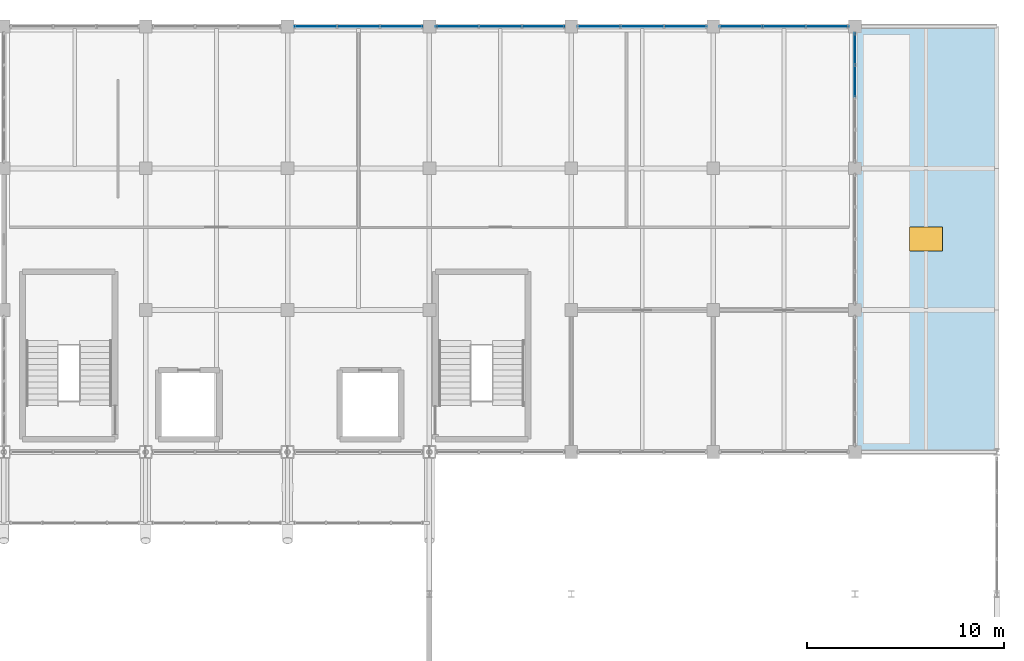
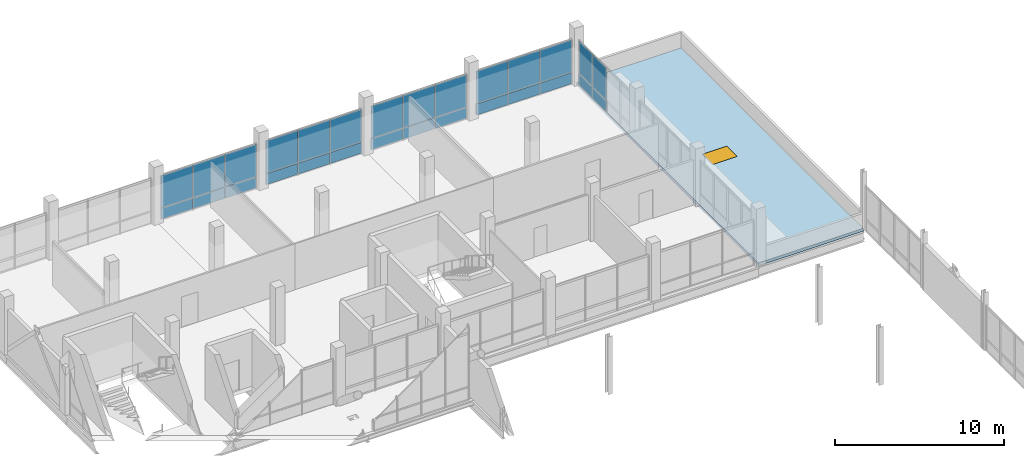
# One storey, part 83 of 102: 28 plates, 1 slab, 1 window, 1 opening, 5 elements without a shape of their own.
"""IFC4 building model written with IfcOpenShell, lengths in metres."""

from ifc_helpers import new_model, si_unit, direction, frame, origin, origin_2d, place, context, subcontext, project, spatial, polyline, rectangle, outline, extrude, material, layer, layer_set, type_object, element, fill, aggregate, save


model = new_model("IFC4")

# Units and contexts
model_context = context("Model", 3, precision=1e-05, world=origin(), true_north=direction((0.0, 1.0)))
body_context = subcontext(model_context, "Body", "Model", "MODEL_VIEW")
ifc_project = project(units=[si_unit("LENGTHUNIT", "METRE"), si_unit("AREAUNIT", "SQUARE_METRE"), si_unit("VOLUMEUNIT", "CUBIC_METRE"), si_unit("PLANEANGLEUNIT", "RADIAN"), si_unit("MASSUNIT", "GRAM", prefix="KILO")], contexts=[model_context])

# Site, building, storey
site_placement = place(None, origin())
site = spatial("IfcSite", under=ifc_project, at=site_placement, CompositionType="ELEMENT")
building_placement = place(site_placement, origin())
building = spatial("IfcBuilding", under=site, at=building_placement, Name="Yarey Park Central Fire Station", CompositionType="ELEMENT")
storey_placement = place(building_placement, frame((0.0, 0.0, 6.0)))
storey = spatial("IfcBuildingStorey", under=building, at=storey_placement, Name="L02", CompositionType="ELEMENT", Elevation=6.0)

# Curtain wall, plates
ifc_material_1 = material(Name="Anodized Aluminium Frame", Category="aluminium")
curtain_wall_type = type_object("IfcCurtainWallType", Name="ENV_CW_HQ_L02", PredefinedType="NOTDEFINED", material=ifc_material_1)
curtain_wall_1_placement = place(storey_placement, origin())
curtain_wall_1 = element("IfcCurtainWall", 1, at=curtain_wall_1_placement, inside=storey, type_object=curtain_wall_type, Name="CW_L02_V4_N_3", PredefinedType="NOTDEFINED")
ifc_material_2 = material(Name="Insulated Aluminium Spandrel Panel", Category="aluminium")
ifc_layer_1 = layer(ifc_material_2, 0.055908203125)
ifc_layer_set_1 = layer_set([ifc_layer_1], Name="Insulated Aluminium Spandrel Panel")
plate_type_1 = type_object("IfcPlateType", Name="ENV_PNL_SPN_01", PredefinedType="CURTAIN_PANEL", material=ifc_layer_set_1)
plate_1_placement = place(storey_placement, frame((135.393310546875, 115.199951171875, 0.04248046875), z_axis=(0.0, 0.0, 1.0), x_axis=(-1.0, 0.0, 0.0)))
plate_1 = element("IfcPlate", 2, at=plate_1_placement, type_object=plate_type_1, Name="CW_L02_V4_N_3_PNL01", PredefinedType="CURTAIN_PANEL", context=body_context, shape_type="SweptSolid", body=[
    extrude(rectangle(XDim=2.1533203125, YDim=0.055908203125, at=origin_2d()), origin(), (0.0, 0.0, 1.0), 0.7900390625),
])
plate_2_placement = place(storey_placement, frame((133.199951171875, 115.199951171875, 0.04248046875), z_axis=(0.0, 0.0, 1.0), x_axis=(-1.0, 0.0, 0.0)))
plate_2 = element("IfcPlate", 3, at=plate_2_placement, type_object=plate_type_1, Name="CW_L02_V4_N_3_PNL03", PredefinedType="CURTAIN_PANEL", context=body_context, shape_type="SweptSolid", body=[
    extrude(rectangle(XDim=2.1533203125, YDim=0.055908203125, at=origin_2d()), origin(), (0.0, 0.0, 1.0), 0.7900390625),
])
plate_3_placement = place(storey_placement, frame((131.006591796875, 115.199951171875, 0.04248046875), z_axis=(0.0, 0.0, 1.0), x_axis=(-1.0, 0.0, 0.0)))
plate_3 = element("IfcPlate", 4, at=plate_3_placement, type_object=plate_type_1, Name="CW_L02_V4_N_3_PNL05", PredefinedType="CURTAIN_PANEL", context=body_context, shape_type="SweptSolid", body=[
    extrude(rectangle(XDim=2.1533203125, YDim=0.055908203125, at=origin_2d()), origin(), (0.0, 0.0, 1.0), 0.7900390625),
])

curtain_wall_2_placement = place(storey_placement, origin())
curtain_wall_2 = element("IfcCurtainWall", 5, at=curtain_wall_2_placement, inside=storey, type_object=curtain_wall_type, Name="CW_L02_V4_N_5", PredefinedType="NOTDEFINED")
plate_4_placement = place(storey_placement, frame((149.793212890625, 115.199951171875, 0.04248046875), z_axis=(0.0, 0.0, 1.0), x_axis=(-1.0, 0.0, 0.0)))
plate_4 = element("IfcPlate", 6, at=plate_4_placement, type_object=plate_type_1, Name="CW_L02_V4_N_5_PNL01", PredefinedType="CURTAIN_PANEL", context=body_context, shape_type="SweptSolid", body=[
    extrude(rectangle(XDim=2.1533203125, YDim=0.055908203125, at=origin_2d()), origin(), (0.0, 0.0, 1.0), 0.7900390625),
])
plate_5_placement = place(storey_placement, frame((147.60009765625, 115.199951171875, 0.04248046875), z_axis=(0.0, 0.0, 1.0), x_axis=(-1.0, 0.0, 0.0)))
plate_5 = element("IfcPlate", 7, at=plate_5_placement, type_object=plate_type_1, Name="CW_L02_V4_N_5_PNL03", PredefinedType="CURTAIN_PANEL", context=body_context, shape_type="SweptSolid", body=[
    extrude(rectangle(XDim=2.1533203125, YDim=0.055908203125, at=origin_2d()), origin(), (0.0, 0.0, 1.0), 0.7900390625),
])
plate_6_placement = place(storey_placement, frame((145.40673828125, 115.199951171875, 0.04248046875), z_axis=(0.0, 0.0, 1.0), x_axis=(-1.0, 0.0, 0.0)))
plate_6 = element("IfcPlate", 8, at=plate_6_placement, type_object=plate_type_1, Name="CW_L02_V4_N_5_PNL05", PredefinedType="CURTAIN_PANEL", context=body_context, shape_type="SweptSolid", body=[
    extrude(rectangle(XDim=2.1533203125, YDim=0.055908203125, at=origin_2d()), origin(), (0.0, 0.0, 1.0), 0.7900390625),
])

curtain_wall_3_placement = place(storey_placement, origin())
curtain_wall_3 = element("IfcCurtainWall", 9, at=curtain_wall_3_placement, inside=storey, type_object=curtain_wall_type, Name="CW_L02_V4_E_108", PredefinedType="NOTDEFINED")
plate_7_placement = place(storey_placement, frame((158.39990234375, 112.422607421875, 0.04248046875), z_axis=(0.0, 0.0, 1.0), x_axis=(0.0, 1.0, 0.0)))
plate_7 = element("IfcPlate", 10, at=plate_7_placement, type_object=plate_type_1, Name="CW_L02_V4_E_108_PNL05", PredefinedType="CURTAIN_PANEL", context=body_context, shape_type="SweptSolid", body=[
    extrude(rectangle(XDim=1.60498046875, YDim=0.055908203125, at=origin_2d()), origin(), (0.0, 0.0, 1.0), 0.7900390625),
])
plate_8_placement = place(storey_placement, frame((158.39990234375, 114.0673828125, 0.04248046875), z_axis=(0.0, 0.0, 1.0), x_axis=(0.0, 1.0, 0.0)))
plate_8 = element("IfcPlate", 11, at=plate_8_placement, type_object=plate_type_1, Name="CW_L02_V4_E_108_PNL07", PredefinedType="CURTAIN_PANEL", context=body_context, shape_type="SweptSolid", body=[
    extrude(rectangle(XDim=1.60498046875, YDim=0.055908203125, at=origin_2d()), origin(), (0.0, 0.0, 1.0), 0.7900390625),
])

curtain_wall_4_placement = place(storey_placement, origin())
curtain_wall_4 = element("IfcCurtainWall", 12, at=curtain_wall_4_placement, inside=storey, type_object=curtain_wall_type, Name="CW_L02_V4_N_4", PredefinedType="NOTDEFINED")
ifc_layer_2 = layer(ifc_material_2, 0.077880859375)
ifc_layer_set_2 = layer_set([ifc_layer_2], Name="Insulated Aluminium Spandrel Panel")
plate_type_2 = type_object("IfcPlateType", Name="ENV_PNL_SPN_03", PredefinedType="CURTAIN_PANEL", material=ifc_layer_set_2)
plate_9_placement = place(storey_placement, frame((142.59326171875, 115.199951171875, 0.04248046875), z_axis=(0.0, 0.0, 1.0), x_axis=(-1.0, 0.0, 0.0)))
plate_9 = element("IfcPlate", 13, at=plate_9_placement, type_object=plate_type_2, Name="CW_L02_V4_N_4_PNL01", PredefinedType="CURTAIN_PANEL", context=body_context, shape_type="SweptSolid", body=[
    extrude(rectangle(XDim=2.1533203125, YDim=0.077880859375, at=origin_2d()), origin(), (0.0, 0.0, 1.0), 0.7900390625),
])
plate_10_placement = place(storey_placement, frame((140.39990234375, 115.199951171875, 0.04248046875), z_axis=(0.0, 0.0, 1.0), x_axis=(-1.0, 0.0, 0.0)))
plate_10 = element("IfcPlate", 14, at=plate_10_placement, type_object=plate_type_2, Name="CW_L02_V4_N_4_PNL03", PredefinedType="CURTAIN_PANEL", context=body_context, shape_type="SweptSolid", body=[
    extrude(rectangle(XDim=2.1533203125, YDim=0.077880859375, at=origin_2d()), origin(), (0.0, 0.0, 1.0), 0.7900390625),
])
plate_11_placement = place(storey_placement, frame((138.206787109375, 115.199951171875, 0.04248046875), z_axis=(0.0, 0.0, 1.0), x_axis=(-1.0, 0.0, 0.0)))
plate_11 = element("IfcPlate", 15, at=plate_11_placement, type_object=plate_type_2, Name="CW_L02_V4_N_4_PNL05", PredefinedType="CURTAIN_PANEL", context=body_context, shape_type="SweptSolid", body=[
    extrude(rectangle(XDim=2.1533203125, YDim=0.077880859375, at=origin_2d()), origin(), (0.0, 0.0, 1.0), 0.7900390625),
])

curtain_wall_5_placement = place(storey_placement, origin())
curtain_wall_5 = element("IfcCurtainWall", 16, at=curtain_wall_5_placement, inside=storey, type_object=curtain_wall_type, Name="CW_L02_V4_N_6", PredefinedType="NOTDEFINED")
plate_12_placement = place(storey_placement, frame((156.993408203125, 115.199951171875, 0.04248046875), z_axis=(0.0, 0.0, 1.0), x_axis=(-1.0, 0.0, 0.0)))
plate_12 = element("IfcPlate", 17, at=plate_12_placement, type_object=plate_type_2, Name="CW_L02_V4_N_6_PNL01", PredefinedType="CURTAIN_PANEL", context=body_context, shape_type="SweptSolid", body=[
    extrude(rectangle(XDim=2.1533203125, YDim=0.077880859375, at=origin_2d()), origin(), (0.0, 0.0, 1.0), 0.7900390625),
])
plate_13_placement = place(storey_placement, frame((154.800048828125, 115.199951171875, 0.04248046875), z_axis=(0.0, 0.0, 1.0), x_axis=(-1.0, 0.0, 0.0)))
plate_13 = element("IfcPlate", 18, at=plate_13_placement, type_object=plate_type_2, Name="CW_L02_V4_N_6_PNL03", PredefinedType="CURTAIN_PANEL", context=body_context, shape_type="SweptSolid", body=[
    extrude(rectangle(XDim=2.1533203125, YDim=0.077880859375, at=origin_2d()), origin(), (0.0, 0.0, 1.0), 0.7900390625),
])
plate_14_placement = place(storey_placement, frame((152.606689453125, 115.199951171875, 0.04248046875), z_axis=(0.0, 0.0, 1.0), x_axis=(-1.0, 0.0, 0.0)))
plate_14 = element("IfcPlate", 19, at=plate_14_placement, type_object=plate_type_2, Name="CW_L02_V4_N_6_PNL05", PredefinedType="CURTAIN_PANEL", context=body_context, shape_type="SweptSolid", body=[
    extrude(rectangle(XDim=2.1533203125, YDim=0.077880859375, at=origin_2d()), origin(), (0.0, 0.0, 1.0), 0.7900390625),
])

# Plate
ifc_material_3 = material(Name="Laminated Hurricane Low-E Glass", Category="glass")
ifc_layer_3 = layer(ifc_material_3, 0.02392578125)
ifc_layer_set_3 = layer_set([ifc_layer_3], Name="Laminated Hurricane Low-E Glass")
plate_type_3 = type_object("IfcPlateType", Name="ENV_PNL_VIS_01", PredefinedType="CURTAIN_PANEL", material=ifc_layer_set_3)
plate_15_placement = place(storey_placement, frame((135.393310546875, 115.199951171875, 0.867431640625), z_axis=(0.0, 0.0, 1.0), x_axis=(-1.0, 0.0, 0.0)))
plate_15 = element("IfcPlate", 20, at=plate_15_placement, type_object=plate_type_3, Name="CW_L02_V4_N_3_PNL02", PredefinedType="CURTAIN_PANEL", context=body_context, shape_type="SweptSolid", body=[
    extrude(rectangle(XDim=2.1533203125, YDim=0.02392578125, at=origin_2d()), origin(), (0.0, 0.0, 1.0), 2.3369140625),
])

plate_16_placement = place(storey_placement, frame((133.199951171875, 115.199951171875, 0.867431640625), z_axis=(0.0, 0.0, 1.0), x_axis=(-1.0, 0.0, 0.0)))
plate_16 = element("IfcPlate", 21, at=plate_16_placement, type_object=plate_type_3, Name="CW_L02_V4_N_3_PNL04", PredefinedType="CURTAIN_PANEL", context=body_context, shape_type="SweptSolid", body=[
    extrude(rectangle(XDim=2.1533203125, YDim=0.02392578125, at=origin_2d()), origin(), (0.0, 0.0, 1.0), 2.3369140625),
])

plate_17_placement = place(storey_placement, frame((131.006591796875, 115.199951171875, 0.867431640625), z_axis=(0.0, 0.0, 1.0), x_axis=(-1.0, 0.0, 0.0)))
plate_17 = element("IfcPlate", 22, at=plate_17_placement, type_object=plate_type_3, Name="CW_L02_V4_N_3_PNL06", PredefinedType="CURTAIN_PANEL", context=body_context, shape_type="SweptSolid", body=[
    extrude(rectangle(XDim=2.1533203125, YDim=0.02392578125, at=origin_2d()), origin(), (0.0, 0.0, 1.0), 2.3369140625),
])

aggregate(curtain_wall_1, [plate_1, plate_15, plate_2, plate_16, plate_3, plate_17])

plate_18_placement = place(storey_placement, frame((149.793212890625, 115.199951171875, 0.867431640625), z_axis=(0.0, 0.0, 1.0), x_axis=(-1.0, 0.0, 0.0)))
plate_18 = element("IfcPlate", 23, at=plate_18_placement, type_object=plate_type_3, Name="CW_L02_V4_N_5_PNL02", PredefinedType="CURTAIN_PANEL", context=body_context, shape_type="SweptSolid", body=[
    extrude(rectangle(XDim=2.1533203125, YDim=0.02392578125, at=origin_2d()), origin(), (0.0, 0.0, 1.0), 2.3369140625),
])

plate_19_placement = place(storey_placement, frame((147.60009765625, 115.199951171875, 0.867431640625), z_axis=(0.0, 0.0, 1.0), x_axis=(-1.0, 0.0, 0.0)))
plate_19 = element("IfcPlate", 24, at=plate_19_placement, type_object=plate_type_3, Name="CW_L02_V4_N_5_PNL04", PredefinedType="CURTAIN_PANEL", context=body_context, shape_type="SweptSolid", body=[
    extrude(rectangle(XDim=2.1533203125, YDim=0.02392578125, at=origin_2d()), origin(), (0.0, 0.0, 1.0), 2.3369140625),
])

plate_20_placement = place(storey_placement, frame((145.40673828125, 115.199951171875, 0.867431640625), z_axis=(0.0, 0.0, 1.0), x_axis=(-1.0, 0.0, 0.0)))
plate_20 = element("IfcPlate", 25, at=plate_20_placement, type_object=plate_type_3, Name="CW_L02_V4_N_5_PNL06", PredefinedType="CURTAIN_PANEL", context=body_context, shape_type="SweptSolid", body=[
    extrude(rectangle(XDim=2.1533203125, YDim=0.02392578125, at=origin_2d()), origin(), (0.0, 0.0, 1.0), 2.3369140625),
])

aggregate(curtain_wall_2, [plate_4, plate_18, plate_5, plate_19, plate_6, plate_20])

plate_21_placement = place(storey_placement, frame((158.39990234375, 112.422607421875, 0.86767578125), z_axis=(0.0, 0.0, 1.0), x_axis=(0.0, 1.0, 0.0)))
plate_21 = element("IfcPlate", 26, at=plate_21_placement, type_object=plate_type_3, Name="CW_L02_V4_E_108_PNL06", PredefinedType="CURTAIN_PANEL", context=body_context, shape_type="SweptSolid", body=[
    extrude(rectangle(XDim=1.60498046875, YDim=0.02392578125, at=origin_2d()), origin(), (0.0, 0.0, 1.0), 2.340087890625),
])

plate_22_placement = place(storey_placement, frame((158.39990234375, 114.0673828125, 0.86767578125), z_axis=(0.0, 0.0, 1.0), x_axis=(0.0, 1.0, 0.0)))
plate_22 = element("IfcPlate", 27, at=plate_22_placement, type_object=plate_type_3, Name="CW_L02_V4_E_108_PNL08", PredefinedType="CURTAIN_PANEL", context=body_context, shape_type="SweptSolid", body=[
    extrude(rectangle(XDim=1.60498046875, YDim=0.02392578125, at=origin_2d()), origin(), (0.0, 0.0, 1.0), 2.340087890625),
])

aggregate(curtain_wall_3, [plate_7, plate_21, plate_8, plate_22])

ifc_layer_4 = layer(ifc_material_3, 0.0380859375)
ifc_layer_set_4 = layer_set([ifc_layer_4], Name="Laminated Hurricane Low-E Glass")
plate_type_4 = type_object("IfcPlateType", Name="ENV_PNL_VIS_03", PredefinedType="CURTAIN_PANEL", material=ifc_layer_set_4)
plate_23_placement = place(storey_placement, frame((142.59326171875, 115.199951171875, 0.867431640625), z_axis=(0.0, 0.0, 1.0), x_axis=(-1.0, 0.0, 0.0)))
plate_23 = element("IfcPlate", 28, at=plate_23_placement, type_object=plate_type_4, Name="CW_L02_V4_N_4_PNL02", PredefinedType="CURTAIN_PANEL", context=body_context, shape_type="SweptSolid", body=[
    extrude(rectangle(XDim=2.1533203125, YDim=0.0380859375, at=origin_2d()), origin(), (0.0, 0.0, 1.0), 2.3369140625),
])

plate_24_placement = place(storey_placement, frame((140.39990234375, 115.199951171875, 0.867431640625), z_axis=(0.0, 0.0, 1.0), x_axis=(-1.0, 0.0, 0.0)))
plate_24 = element("IfcPlate", 29, at=plate_24_placement, type_object=plate_type_4, Name="CW_L02_V4_N_4_PNL04", PredefinedType="CURTAIN_PANEL", context=body_context, shape_type="SweptSolid", body=[
    extrude(rectangle(XDim=2.1533203125, YDim=0.0380859375, at=origin_2d()), origin(), (0.0, 0.0, 1.0), 2.3369140625),
])

plate_25_placement = place(storey_placement, frame((138.206787109375, 115.199951171875, 0.867431640625), z_axis=(0.0, 0.0, 1.0), x_axis=(-1.0, 0.0, 0.0)))
plate_25 = element("IfcPlate", 30, at=plate_25_placement, type_object=plate_type_4, Name="CW_L02_V4_N_4_PNL06", PredefinedType="CURTAIN_PANEL", context=body_context, shape_type="SweptSolid", body=[
    extrude(rectangle(XDim=2.1533203125, YDim=0.0380859375, at=origin_2d()), origin(), (0.0, 0.0, 1.0), 2.3369140625),
])

aggregate(curtain_wall_4, [plate_9, plate_23, plate_10, plate_24, plate_11, plate_25])

plate_26_placement = place(storey_placement, frame((156.993408203125, 115.199951171875, 0.867431640625), z_axis=(0.0, 0.0, 1.0), x_axis=(-1.0, 0.0, 0.0)))
plate_26 = element("IfcPlate", 31, at=plate_26_placement, type_object=plate_type_4, Name="CW_L02_V4_N_6_PNL02", PredefinedType="CURTAIN_PANEL", context=body_context, shape_type="SweptSolid", body=[
    extrude(rectangle(XDim=2.1533203125, YDim=0.0380859375, at=origin_2d()), origin(), (0.0, 0.0, 1.0), 2.3369140625),
])

plate_27_placement = place(storey_placement, frame((154.800048828125, 115.199951171875, 0.867431640625), z_axis=(0.0, 0.0, 1.0), x_axis=(-1.0, 0.0, 0.0)))
plate_27 = element("IfcPlate", 32, at=plate_27_placement, type_object=plate_type_4, Name="CW_L02_V4_N_6_PNL04", PredefinedType="CURTAIN_PANEL", context=body_context, shape_type="SweptSolid", body=[
    extrude(rectangle(XDim=2.1533203125, YDim=0.0380859375, at=origin_2d()), origin(), (0.0, 0.0, 1.0), 2.3369140625),
])

plate_28_placement = place(storey_placement, frame((152.606689453125, 115.199951171875, 0.867431640625), z_axis=(0.0, 0.0, 1.0), x_axis=(-1.0, 0.0, 0.0)))
plate_28 = element("IfcPlate", 33, at=plate_28_placement, type_object=plate_type_4, Name="CW_L02_V4_N_6_PNL06", PredefinedType="CURTAIN_PANEL", context=body_context, shape_type="SweptSolid", body=[
    extrude(rectangle(XDim=2.1533203125, YDim=0.0380859375, at=origin_2d()), origin(), (0.0, 0.0, 1.0), 2.3369140625),
])

aggregate(curtain_wall_5, [plate_12, plate_26, plate_13, plate_27, plate_14, plate_28])

# Slab, opening, window
ifc_material_4 = material(Name="Concrete C40/50", Category="concrete")
ifc_layer_5 = layer(ifc_material_4, 0.2099609375)
ifc_layer_set_5 = layer_set([ifc_layer_5], Name="Concrete C40/50")
slab_type = type_object("IfcSlabType", Name="STR_ROOF_FLAT210", PredefinedType="ROOF", material=ifc_layer_set_5)
slab_placement = place(storey_placement, frame((0.0, 0.0, -0.2099609375)))
slab = element("IfcSlab", 34, at=slab_placement, inside=storey, type_object=slab_type, Name="ROOF_L02_V4_STEP", PredefinedType="ROOF", context=body_context, shape_type="SweptSolid", body=[
    extrude(outline(polyline([(158.39990234375, 93.60009765625), (165.60009765625, 93.60009765625), (165.60009765625, 115.199951171875), (158.39990234375, 115.199951171875), (158.39990234375, 93.60009765625)]), holes=[polyline([(161.699951171875, 104.199951171875), (162.300048828125, 104.199951171875), (162.300048828125, 104.60009765625), (161.699951171875, 104.60009765625), (161.699951171875, 104.199951171875)])]), origin(), (0.0, 0.0, 1.0), 0.2099609375),
])
opening_placement = place(slab_placement, frame((162.0, 104.39990234375, -0.010009765625)))
opening = element("IfcOpeningElement", 35, at=opening_placement, cuts=slab, Name="Opening SK-07", PredefinedType="OPENING", context=body_context, shape_type="SweptSolid", body=[
    extrude(rectangle(XDim=1.679931640625, YDim=1.219970703125, at=origin_2d()), origin(), (0.0, 0.0, 1.0), 0.22998046875),
])
window_type = type_object("IfcWindowType", Name="ENV_SKY_07", PartitioningType="SINGLE_PANEL", PredefinedType="SKYLIGHT", material=ifc_material_3)
window_placement = place(slab_placement, frame((162.0, 104.39990234375, 0.159912109375)))
window = element("IfcWindow", 36, at=window_placement, inside=storey, type_object=window_type, Name="SKY_L02_STEP_1", OverallHeight=1.219970703125, OverallWidth=1.679931640625, PartitioningType="SINGLE_PANEL", PredefinedType="SKYLIGHT", context=body_context, shape_type="SweptSolid", body=[
    extrude(rectangle(XDim=1.679931640625, YDim=1.219970703125, at=origin_2d()), origin(), (0.0, 0.0, 1.0), 0.050048828125),
])
fill(opening, window)

save(model, "model.ifc")
